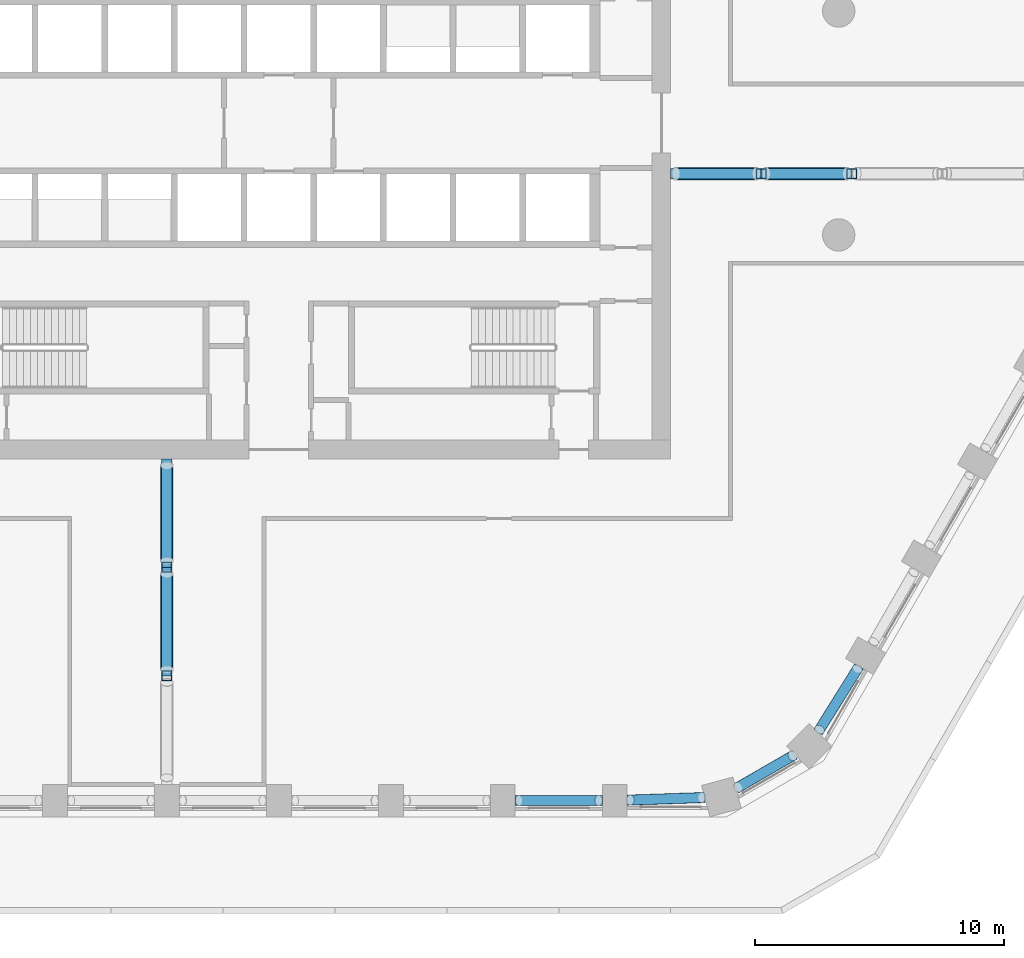
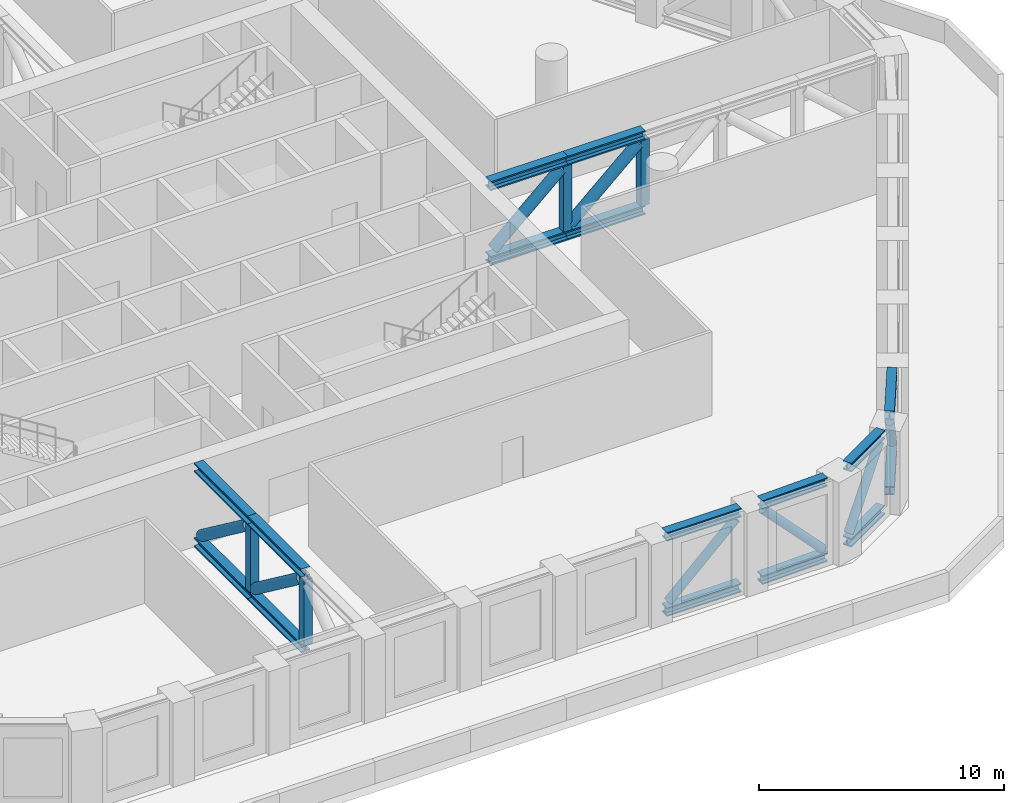
# One storey, part 2 of 18: 16 beams, 12 members.
"""IFC4 building model written with IfcOpenShell, lengths in metres."""

from ifc_helpers import new_model, si_unit, direction, frame, origin, origin_2d, place, context, subcontext, project, spatial, hollow_rectangle, hollow_circle, i_section, extrude, material, material_profile, profile_set, type_object, element, save


model = new_model("IFC4")

# Units and contexts
model_context = context("Model", 3, precision=1e-05, world=origin(), true_north=direction((0.0, 1.0)))
body_context = subcontext(model_context, "Body", "Model", "MODEL_VIEW")
ifc_project = project(units=[si_unit("LENGTHUNIT", "METRE"), si_unit("AREAUNIT", "SQUARE_METRE"), si_unit("VOLUMEUNIT", "CUBIC_METRE"), si_unit("PLANEANGLEUNIT", "RADIAN"), si_unit("MASSUNIT", "GRAM", prefix="KILO")], contexts=[model_context])

# Site, building, storey
site_placement = place(None, origin())
site = spatial("IfcSite", under=ifc_project, at=site_placement, CompositionType="ELEMENT")
building_placement = place(site_placement, origin())
building = spatial("IfcBuilding", under=site, at=building_placement, Name="Dhurran Vertical Campus", CompositionType="ELEMENT")
storey_placement = place(building_placement, frame((0.0, 0.0, 128.10009765625)))
storey = spatial("IfcBuildingStorey", under=building, at=storey_placement, Name="L31 Plant", CompositionType="ELEMENT", Elevation=128.10009765625)

# Beams
ifc_material_1 = material(Name="Steel ASTM A992", Category="steel")
ifc_material_profile_1 = material_profile(ifc_material_1, i_section(OverallWidth=0.412109375, OverallDepth=0.43505859375, WebThickness=0.035888671875, FlangeThickness=0.057373046875, at=origin_2d()), Name="W360x463")
ifc_profile_set_1 = profile_set([ifc_material_profile_1], Name="Steel ASTM A992")
beam_type_1 = type_object("IfcBeamType", Name="FR BELT CHORD W360x463", PredefinedType="BEAM", material=ifc_profile_set_1)
for number, where, z_axis, x_axis, name in (
    (1, (9.5, -27.232666015625, 0.21728515625), (1.0, 0.0, 0.0), (0.0, 1.0, 0.0), "Belt truss chord L31"),
    (2, (9.5, -27.232666015625, 3.95751953125), (1.0, 0.0, 0.0), (0.0, 1.0, 0.0), "Belt truss chord L31"),
):
    element("IfcBeam", number, at=place(storey_placement, frame(where, z_axis=z_axis, x_axis=x_axis)), inside=storey, type_object=beam_type_1, Name=name, PredefinedType="BEAM", context=body_context, shape_type="SweptSolid", body=[
        extrude(i_section(OverallWidth=0.412109375, OverallDepth=0.43505859375, WebThickness=0.035888671875, FlangeThickness=0.057373046875, at=origin_2d()), origin(), (0.0, 0.0, 1.0), 3.5),
    ])
for number, where, z_axis, x_axis, name in (
    (3, (14.0, -27.2158203125, 0.21728515625), (0.999418472466, 0.034098634791, 0.0), (-0.034098634791, 0.999418472466, 0.0), "Belt truss chord L31"),
    (4, (14.0, -27.2158203125, 3.95751953125), (0.999418472466, 0.034098634791, 0.0), (-0.034098634791, 0.999418472466, 0.0), "Belt truss chord L31"),
):
    element("IfcBeam", number, at=place(storey_placement, frame(where, z_axis=z_axis, x_axis=x_axis)), inside=storey, type_object=beam_type_1, Name=name, PredefinedType="BEAM", context=body_context, shape_type="SweptSolid", body=[
        extrude(i_section(OverallWidth=0.412109375, OverallDepth=0.43505859375, WebThickness=0.035888671875, FlangeThickness=0.057373046875, at=origin_2d()), origin(), (0.0, 0.0, 1.0), 3.12158203125),
    ])
for number, where, z_axis, x_axis, name in (
    (5, (18.369384765625, -26.75, 0.21728515625), (0.866058885866, 0.499942002849, 0.0), (-0.499942002849, 0.866058885866, 0.0), "Belt truss chord L31"),
    (6, (18.369384765625, -26.75, 3.95751953125), (0.866058885866, 0.499942002849, 0.0), (-0.499942002849, 0.866058885866, 0.0), "Belt truss chord L31"),
):
    element("IfcBeam", number, at=place(storey_placement, frame(where, z_axis=z_axis, x_axis=x_axis)), inside=storey, type_object=beam_type_1, Name=name, PredefinedType="BEAM", context=body_context, shape_type="SweptSolid", body=[
        extrude(i_section(OverallWidth=0.412109375, OverallDepth=0.43505859375, WebThickness=0.035888671875, FlangeThickness=0.057373046875, at=origin_2d()), origin(), (0.0, 0.0, 1.0), 2.727294921875),
    ])
for number, where, z_axis, x_axis, name in (
    (7, (21.66748046875, -24.48388671875, 0.21728515625), (0.529176156193, 0.848511989142, 0.0), (-0.848511989142, 0.529176156193, 0.0), "Belt truss chord L31"),
    (8, (21.66748046875, -24.48388671875, 3.95751953125), (0.529176156193, 0.848511989142, 0.0), (-0.848511989142, 0.529176156193, 0.0), "Belt truss chord L31"),
):
    element("IfcBeam", number, at=place(storey_placement, frame(where, z_axis=z_axis, x_axis=x_axis)), inside=storey, type_object=beam_type_1, Name=name, PredefinedType="BEAM", context=body_context, shape_type="SweptSolid", body=[
        extrude(i_section(OverallWidth=0.412109375, OverallDepth=0.43505859375, WebThickness=0.035888671875, FlangeThickness=0.057373046875, at=origin_2d()), origin(), (0.0, 0.0, 1.0), 3.12158203125),
    ])

# Members
ifc_material_2 = material(Name="Steel S355J2H", Category="steel")
ifc_material_profile_2 = material_profile(ifc_material_2, hollow_circle(Radius=0.203125, WallThickness=0.01611328125, at=origin_2d()), Name="CHS406.4x16")
ifc_profile_set_2 = profile_set([ifc_material_profile_2], Name="Steel S355J2H")
member_type_1 = type_object("IfcMemberType", Name="FR BELT DIAGONAL CHS406.4x16", PredefinedType="BRACE", material=ifc_profile_set_2)
member_1_placement = place(storey_placement, frame((9.656494140625, -27.232666015625, 0.58251953125), z_axis=(0.727034775792, 0.0, 0.686600637044), x_axis=(0.0, 1.0, 0.0)))
element("IfcMember", 9, at=member_1_placement, inside=storey, type_object=member_type_1, Name="Belt truss diagonal L31", PredefinedType="BRACE", context=body_context, shape_type="SweptSolid", body=[
    extrude(hollow_circle(Radius=0.203125, WallThickness=0.01611328125, at=origin_2d()), origin(), (0.0, 0.0, 1.0), 4.383544921875),
])
member_2_placement = place(storey_placement, frame((16.988037109375, -27.11376953125, 0.574462890625), z_axis=(-0.686266660037, -0.023403452765, 0.726973417478), x_axis=(0.034082750999, -0.99941901427, 0.0)))
element("IfcMember", 10, at=member_2_placement, inside=storey, type_object=member_type_1, Name="Belt truss diagonal L31", PredefinedType="BRACE", context=body_context, shape_type="SweptSolid", body=[
    extrude(hollow_circle(Radius=0.203125, WallThickness=0.01611328125, at=origin_2d()), origin(), (0.0, 0.0, 1.0), 4.162353515625),
])
member_3_placement = place(storey_placement, frame((18.4619140625, -26.69677734375, 0.564208984375), z_axis=(0.55122586899, 0.318262166341, 0.771271181124), x_axis=(-0.500013859761, 0.8660174017, 0.0)))
element("IfcMember", 11, at=member_3_placement, inside=storey, type_object=member_type_1, Name="Belt truss diagonal L31", PredefinedType="BRACE", context=body_context, shape_type="SweptSolid", body=[
    extrude(hollow_circle(Radius=0.203125, WallThickness=0.01611328125, at=origin_2d()), origin(), (0.0, 0.0, 1.0), 3.94970703125),
])
member_4_placement = place(storey_placement, frame((23.249755859375, -21.947021484375, 0.574462890625), z_axis=(-0.363385996339, -0.58259075313, 0.727006624476), x_axis=(0.848477892865, -0.529230824234, 0.0)))
element("IfcMember", 12, at=member_4_placement, inside=storey, type_object=member_type_1, Name="Belt truss diagonal L31", PredefinedType="BRACE", context=body_context, shape_type="SweptSolid", body=[
    extrude(hollow_circle(Radius=0.203125, WallThickness=0.01611328125, at=origin_2d()), origin(), (0.0, 0.0, 1.0), 4.162109375),
])

# Beams
ifc_material_3 = material(Name="Steel ASTM A992", Category="steel")
ifc_material_profile_3 = material_profile(ifc_material_3, i_section(OverallWidth=0.41796875, OverallDepth=0.455078125, WebThickness=0.042236328125, FlangeThickness=0.067626953125, at=origin_2d()), Name="W360x551")
ifc_profile_set_3 = profile_set([ifc_material_profile_3], Name="Steel ASTM A992")
beam_type_2 = type_object("IfcBeamType", Name="FR OUTRIGGER CHORD W360x551", PredefinedType="BEAM", material=ifc_profile_set_3)
for number, where, z_axis, x_axis, name in (
    (13, (15.75, -2.03662109375, 0.227294921875), (1.0, 0.0, 0.0), (0.0, 1.0, 0.0), "Outrigger truss chord L31"),
    (14, (15.75, -2.03662109375, 3.947509765625), (1.0, 0.0, 0.0), (0.0, 1.0, 0.0), "Outrigger truss chord L31"),
):
    element("IfcBeam", number, at=place(storey_placement, frame(where, z_axis=z_axis, x_axis=x_axis)), inside=storey, type_object=beam_type_2, Name=name, PredefinedType="BEAM", context=body_context, shape_type="SweptSolid", body=[
        extrude(i_section(OverallWidth=0.41796875, OverallDepth=0.455078125, WebThickness=0.042236328125, FlangeThickness=0.067626953125, at=origin_2d()), origin(), (0.0, 0.0, 1.0), 3.635498046875),
    ])
for number, where, z_axis, x_axis, name in (
    (15, (19.385498046875, -2.03662109375, 0.227294921875), (1.0, 0.0, 0.0), (0.0, 1.0, 0.0), "Outrigger truss chord L31"),
    (16, (19.385498046875, -2.03662109375, 3.947509765625), (1.0, 0.0, 0.0), (0.0, 1.0, 0.0), "Outrigger truss chord L31"),
):
    element("IfcBeam", number, at=place(storey_placement, frame(where, z_axis=z_axis, x_axis=x_axis)), inside=storey, type_object=beam_type_2, Name=name, PredefinedType="BEAM", context=body_context, shape_type="SweptSolid", body=[
        extrude(i_section(OverallWidth=0.41796875, OverallDepth=0.455078125, WebThickness=0.042236328125, FlangeThickness=0.067626953125, at=origin_2d()), origin(), (0.0, 0.0, 1.0), 3.6357421875),
    ])
for number, where, z_axis, x_axis, name in (
    (17, (-4.5, -13.5, 0.227294921875), (0.0, -1.0, 0.0), (1.0, 0.0, 0.0), "Outrigger truss chord L31"),
    (18, (-4.5, -13.5, 3.947509765625), (0.0, -1.0, 0.0), (1.0, 0.0, 0.0), "Outrigger truss chord L31"),
    (19, (-4.5, -17.86083984375, 0.227294921875), (0.0, -1.0, 0.0), (1.0, 0.0, 0.0), "Outrigger truss chord L31"),
    (20, (-4.5, -17.86083984375, 3.947509765625), (0.0, -1.0, 0.0), (1.0, 0.0, 0.0), "Outrigger truss chord L31"),
):
    element("IfcBeam", number, at=place(storey_placement, frame(where, z_axis=z_axis, x_axis=x_axis)), inside=storey, type_object=beam_type_2, Name=name, PredefinedType="BEAM", context=body_context, shape_type="SweptSolid", body=[
        extrude(i_section(OverallWidth=0.41796875, OverallDepth=0.455078125, WebThickness=0.042236328125, FlangeThickness=0.067626953125, at=origin_2d()), origin(), (0.0, 0.0, 1.0), 4.36083984375),
    ])

# Members
ifc_material_4 = material(Name="Steel S355J2H", Category="steel")
ifc_material_profile_4 = material_profile(ifc_material_4, hollow_circle(Radius=0.25390625, WallThickness=0.01611328125, at=origin_2d()), Name="CHS508x16")
ifc_profile_set_4 = profile_set([ifc_material_profile_4], Name="Steel S355J2H")
member_type_2 = type_object("IfcMemberType", Name="FR OUTRIGGER DIAGONAL CHS508x16", PredefinedType="BRACE", material=ifc_profile_set_4)
member_5_placement = place(storey_placement, frame((15.96044921875, -2.03662109375, 0.643798828125), z_axis=(0.744001706077, 0.0, 0.668177716895), x_axis=(0.0, 1.0, 0.0)))
element("IfcMember", 21, at=member_5_placement, inside=storey, type_object=member_type_2, Name="Outrigger truss diagonal L31", PredefinedType="BRACE", context=body_context, shape_type="SweptSolid", body=[
    extrude(hollow_circle(Radius=0.25390625, WallThickness=0.01611328125, at=origin_2d()), origin(), (0.0, 0.0, 1.0), 4.321044921875),
])
member_6_placement = place(storey_placement, frame((19.59619140625, -2.03662109375, 0.643798828125), z_axis=(0.743976479085, 0.0, 0.668205805548), x_axis=(0.0, 1.0, 0.0)))
element("IfcMember", 22, at=member_6_placement, inside=storey, type_object=member_type_2, Name="Outrigger truss diagonal L31", PredefinedType="BRACE", context=body_context, shape_type="SweptSolid", body=[
    extrude(hollow_circle(Radius=0.25390625, WallThickness=0.01611328125, at=origin_2d()), origin(), (0.0, 0.0, 1.0), 4.32080078125),
])
member_7_placement = place(storey_placement, frame((-4.5, -13.771484375, 0.658203125), z_axis=(0.0, -0.800503424042, 0.59932818063), x_axis=(1.0, 0.0, 0.0)))
element("IfcMember", 23, at=member_7_placement, inside=storey, type_object=member_type_2, Name="Outrigger truss diagonal L31", PredefinedType="BRACE", context=body_context, shape_type="SweptSolid", body=[
    extrude(hollow_circle(Radius=0.25390625, WallThickness=0.01611328125, at=origin_2d()), origin(), (0.0, 0.0, 1.0), 4.769287109375),
])
member_8_placement = place(storey_placement, frame((-4.5, -18.132568359375, 0.658203125), z_axis=(0.0, -0.80048503589, 0.599352740309), x_axis=(1.0, 0.0, 0.0)))
element("IfcMember", 24, at=member_8_placement, inside=storey, type_object=member_type_2, Name="Outrigger truss diagonal L31", PredefinedType="BRACE", context=body_context, shape_type="SweptSolid", body=[
    extrude(hollow_circle(Radius=0.25390625, WallThickness=0.01611328125, at=origin_2d()), origin(), (0.0, 0.0, 1.0), 4.76904296875),
])
ifc_material_5 = material(Name="Steel S355J2H", Category="steel")
ifc_material_profile_5 = material_profile(ifc_material_5, hollow_rectangle(XDim=0.39990234375, YDim=0.39990234375, WallThickness=0.01611328125, at=origin_2d()), Name="SHS400x400x16")
ifc_profile_set_5 = profile_set([ifc_material_profile_5], Name="Steel S355J2H")
member_type_3 = type_object("IfcMemberType", Name="FR OUTRIGGER POST SHS400x400x16", PredefinedType="POST", material=ifc_profile_set_5)
for number, where, z_axis, x_axis, name in (
    (25, (19.385498046875, -2.03662109375, 0.454833984375), (0.0, 0.0, 1.0), (1.0, 0.0, 0.0), "Outrigger truss post L31"),
    (26, (23.021240234375, -2.03662109375, 0.454833984375), (0.0, 0.0, 1.0), (1.0, 0.0, 0.0), "Outrigger truss post L31"),
    (27, (-4.5, -17.86083984375, 0.454833984375), (0.0, 0.0, 1.0), (0.0, -1.0, 0.0), "Outrigger truss post L31"),
    (28, (-4.5, -22.2216796875, 0.454833984375), (0.0, 0.0, 1.0), (0.0, -1.0, 0.0), "Outrigger truss post L31"),
):
    element("IfcMember", number, at=place(storey_placement, frame(where, z_axis=z_axis, x_axis=x_axis)), inside=storey, type_object=member_type_3, Name=name, PredefinedType="POST", context=body_context, shape_type="SweptSolid", body=[
        extrude(hollow_rectangle(XDim=0.39990234375, YDim=0.39990234375, WallThickness=0.01611328125, at=origin_2d()), origin(), (0.0, 0.0, 1.0), 3.26513671875),
    ])

save(model, "model.ifc")
